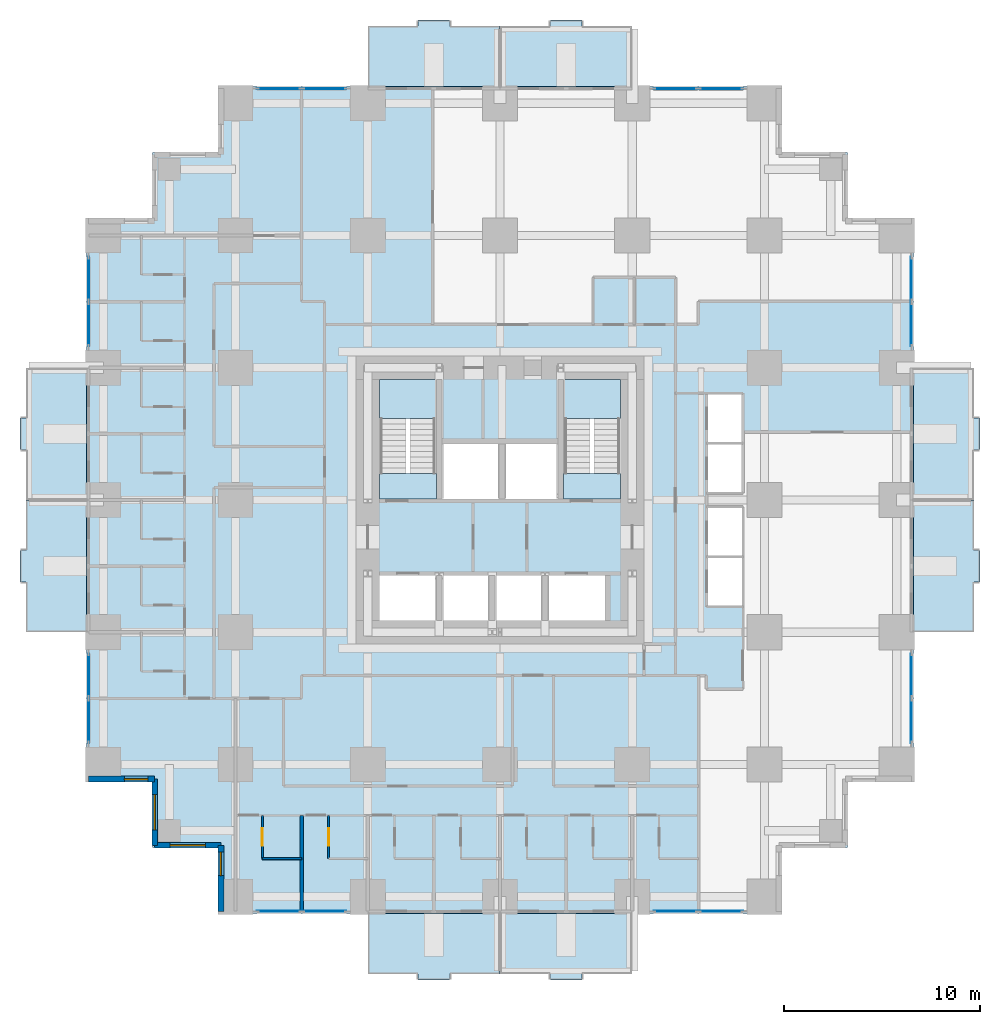
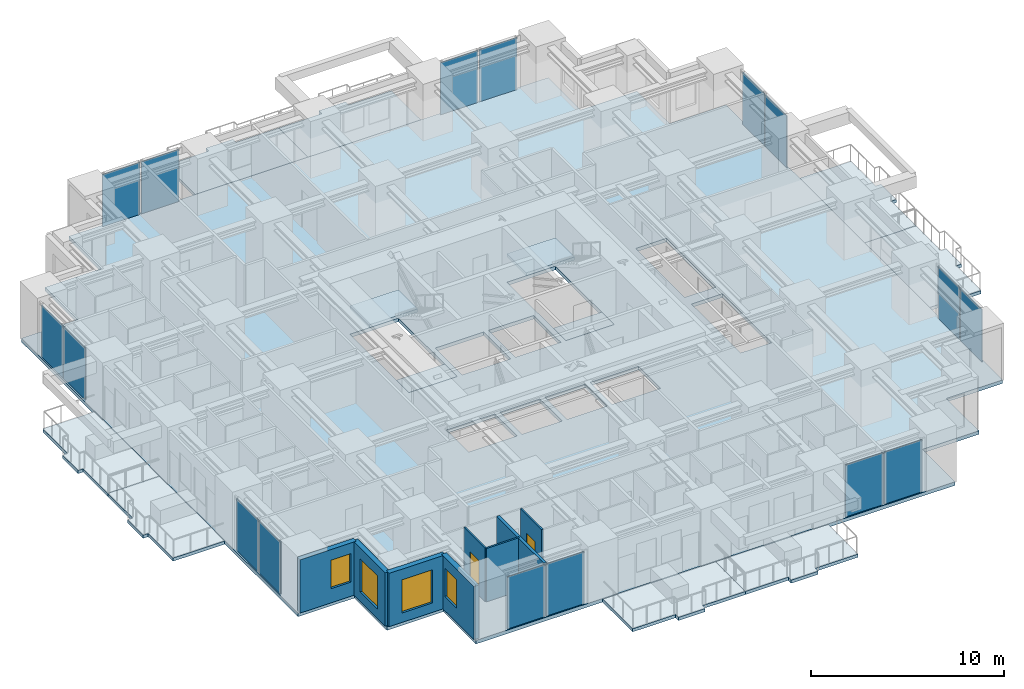
# One storey, part 5 of 13: 16 plates, 13 slabs, 8 walls, 4 windows, 2 doors, 6 openings, 10 elements without a shape of their own.
"""IFC4 building model written with IfcOpenShell, lengths in metres."""

from ifc_helpers import new_model, si_unit, direction, frame, frame_2d, origin, origin_2d, place, context, subcontext, project, spatial, polyline, rectangle, outline, extrude, material, layer, layer_set, type_object, element, fill, aggregate, save


model = new_model("IFC4")

# Units and contexts
model_context = context("Model", 3, precision=1e-05, world=origin(), true_north=direction((0.0, 1.0)))
body_context = subcontext(model_context, "Body", "Model", "MODEL_VIEW")
ifc_project = project(units=[si_unit("LENGTHUNIT", "METRE"), si_unit("AREAUNIT", "SQUARE_METRE"), si_unit("VOLUMEUNIT", "CUBIC_METRE"), si_unit("PLANEANGLEUNIT", "RADIAN"), si_unit("MASSUNIT", "GRAM", prefix="KILO")], contexts=[model_context])

# Site, building, storey
site_placement = place(None, origin())
site = spatial("IfcSite", under=ifc_project, at=site_placement, CompositionType="ELEMENT")
building_placement = place(site_placement, origin())
building = spatial("IfcBuilding", under=site, at=building_placement, Name="Nyansa Garden Tower", CompositionType="ELEMENT")
storey_placement = place(building_placement, frame((0.0, 0.0, 46.800048828125)))
storey = spatial("IfcBuildingStorey", under=building, at=storey_placement, Name="L12", CompositionType="ELEMENT", Elevation=46.800048828125)

# Slabs
ifc_material_1 = material(Name="Concrete C40/50", Category="concrete")
ifc_layer_1 = layer(ifc_material_1, 0.199951171875)
ifc_layer_set_1 = layer_set([ifc_layer_1], Name="Balcony slab BS200")
slab_type_1 = type_object("IfcSlabType", Name="Balcony slab BS200", PredefinedType="FLOOR", material=ifc_layer_set_1)
slab_1_placement = place(storey_placement, frame((0.0, 0.0, -0.239990234375)))
element("IfcSlab", 1, at=slab_1_placement, inside=storey, type_object=slab_type_1, Name="Balcony L12 S", PredefinedType="FLOOR", context=body_context, shape_type="SweptSolid", body=[
    extrude(outline(polyline([(13.5, -0.85009765625), (20.25, -0.85009765625), (20.25, -3.949951171875), (17.675048828125, -3.949951171875), (17.675048828125, -4.25), (16.074951171875, -4.25), (16.074951171875, -3.949951171875), (13.5, -3.949951171875), (13.5, -0.85009765625)])), origin(), (0.0, 0.0, 1.0), 0.199951171875),
])
slab_2_placement = place(storey_placement, frame((0.0, 0.0, -0.239990234375)))
element("IfcSlab", 2, at=slab_2_placement, inside=storey, type_object=slab_type_1, Name="Balcony L12 S", PredefinedType="FLOOR", context=body_context, shape_type="SweptSolid", body=[
    extrude(outline(polyline([(20.25, -0.85009765625), (27.0, -0.85009765625), (27.0, -3.949951171875), (24.425048828125, -3.949951171875), (24.425048828125, -4.25), (22.824951171875, -4.25), (22.824951171875, -3.949951171875), (20.25, -3.949951171875), (20.25, -0.85009765625)])), origin(), (0.0, 0.0, 1.0), 0.199951171875),
])
slab_3_placement = place(storey_placement, frame((0.0, 0.0, -0.239990234375)))
element("IfcSlab", 3, at=slab_3_placement, inside=storey, type_object=slab_type_1, Name="Balcony L12 E", PredefinedType="FLOOR", context=body_context, shape_type="SweptSolid", body=[
    extrude(outline(polyline([(41.35009765625, 13.5), (41.35009765625, 20.25), (44.449951171875, 20.25), (44.449951171875, 17.675048828125), (44.75, 17.675048828125), (44.75, 16.074951171875), (44.449951171875, 16.074951171875), (44.449951171875, 13.5), (41.35009765625, 13.5)])), origin(), (0.0, 0.0, 1.0), 0.199951171875),
])
slab_4_placement = place(storey_placement, frame((0.0, 0.0, -0.239990234375)))
element("IfcSlab", 4, at=slab_4_placement, inside=storey, type_object=slab_type_1, Name="Balcony L12 E", PredefinedType="FLOOR", context=body_context, shape_type="SweptSolid", body=[
    extrude(outline(polyline([(41.35009765625, 20.25), (41.35009765625, 27.0), (44.449951171875, 27.0), (44.449951171875, 24.425048828125), (44.75, 24.425048828125), (44.75, 22.824951171875), (44.449951171875, 22.824951171875), (44.449951171875, 20.25), (41.35009765625, 20.25)])), origin(), (0.0, 0.0, 1.0), 0.199951171875),
])
slab_5_placement = place(storey_placement, frame((0.0, 0.0, -0.239990234375)))
element("IfcSlab", 5, at=slab_5_placement, inside=storey, type_object=slab_type_1, Name="Balcony L12 N", PredefinedType="FLOOR", context=body_context, shape_type="SweptSolid", body=[
    extrude(outline(polyline([(13.5, 41.35009765625), (20.25, 41.35009765625), (20.25, 44.449951171875), (17.675048828125, 44.449951171875), (17.675048828125, 44.75), (16.074951171875, 44.75), (16.074951171875, 44.449951171875), (13.5, 44.449951171875), (13.5, 41.35009765625)])), origin(), (0.0, 0.0, 1.0), 0.199951171875),
])
slab_6_placement = place(storey_placement, frame((0.0, 0.0, -0.239990234375)))
element("IfcSlab", 6, at=slab_6_placement, inside=storey, type_object=slab_type_1, Name="Balcony L12 N", PredefinedType="FLOOR", context=body_context, shape_type="SweptSolid", body=[
    extrude(outline(polyline([(20.25, 41.35009765625), (27.0, 41.35009765625), (27.0, 44.449951171875), (24.425048828125, 44.449951171875), (24.425048828125, 44.75), (22.824951171875, 44.75), (22.824951171875, 44.449951171875), (20.25, 44.449951171875), (20.25, 41.35009765625)])), origin(), (0.0, 0.0, 1.0), 0.199951171875),
])
slab_7_placement = place(storey_placement, frame((0.0, 0.0, -0.239990234375)))
element("IfcSlab", 7, at=slab_7_placement, inside=storey, type_object=slab_type_1, Name="Balcony L12 W", PredefinedType="FLOOR", context=body_context, shape_type="SweptSolid", body=[
    extrude(outline(polyline([(-0.85009765625, 13.5), (-0.85009765625, 20.25), (-3.949951171875, 20.25), (-3.949951171875, 17.675048828125), (-4.25, 17.675048828125), (-4.25, 16.074951171875), (-3.949951171875, 16.074951171875), (-3.949951171875, 13.5), (-0.85009765625, 13.5)])), origin(), (0.0, 0.0, 1.0), 0.199951171875),
])
slab_8_placement = place(storey_placement, frame((0.0, 0.0, -0.239990234375)))
element("IfcSlab", 8, at=slab_8_placement, inside=storey, type_object=slab_type_1, Name="Balcony L12 W", PredefinedType="FLOOR", context=body_context, shape_type="SweptSolid", body=[
    extrude(outline(polyline([(-0.85009765625, 20.25), (-0.85009765625, 27.0), (-3.949951171875, 27.0), (-3.949951171875, 24.425048828125), (-4.25, 24.425048828125), (-4.25, 22.824951171875), (-3.949951171875, 22.824951171875), (-3.949951171875, 20.25), (-0.85009765625, 20.25)])), origin(), (0.0, 0.0, 1.0), 0.199951171875),
])
ifc_material_2 = material(Name="Concrete C40/50", Category="concrete")
ifc_layer_2 = layer(ifc_material_2, 0.22509765625)
ifc_layer_set_2 = layer_set([ifc_layer_2], Name="Floor slab FS225")
slab_type_2 = type_object("IfcSlabType", Name="Floor slab FS225", PredefinedType="FLOOR", material=ifc_layer_set_2)
slab_9_placement = place(storey_placement, frame((0.0, 0.0, -0.22509765625)))
element("IfcSlab", 9, at=slab_9_placement, inside=storey, type_object=slab_type_2, Name="Floor slab L12", PredefinedType="FLOOR", context=body_context, shape_type="SweptSolid", body=[
    extrude(outline(polyline([(41.35009765625, 5.89990234375), (37.97509765625, 5.89990234375), (37.97509765625, 2.52490234375), (34.60009765625, 2.52490234375), (34.60009765625, -0.85009765625), (5.89990234375, -0.85009765625), (5.89990234375, 2.52490234375), (2.52490234375, 2.52490234375), (2.52490234375, 5.89990234375), (-0.85009765625, 5.89990234375), (-0.85009765625, 34.60009765625), (2.52490234375, 34.60009765625), (2.52490234375, 37.97509765625), (5.89990234375, 37.97509765625), (5.89990234375, 41.35009765625), (34.60009765625, 41.35009765625), (34.60009765625, 37.97509765625), (37.97509765625, 37.97509765625), (37.97509765625, 34.60009765625), (41.35009765625, 34.60009765625), (41.35009765625, 5.89990234375)]), holes=[polyline([(14.10009765625, 14.10009765625), (17.0, 14.10009765625), (17.0, 16.39990234375), (14.10009765625, 16.39990234375), (14.10009765625, 14.10009765625)]), polyline([(17.300048828125, 14.10009765625), (19.699951171875, 14.10009765625), (19.699951171875, 16.39990234375), (17.300048828125, 16.39990234375), (17.300048828125, 14.10009765625)]), polyline([(20.0, 14.10009765625), (22.39990234375, 14.10009765625), (22.39990234375, 16.39990234375), (20.0, 16.39990234375), (20.0, 14.10009765625)]), polyline([(22.699951171875, 14.10009765625), (25.60009765625, 14.10009765625), (25.60009765625, 16.39990234375), (22.699951171875, 16.39990234375), (22.699951171875, 14.10009765625)]), polyline([(17.300048828125, 20.300048828125), (20.199951171875, 20.300048828125), (20.199951171875, 23.10009765625), (17.300048828125, 23.10009765625), (17.300048828125, 20.300048828125)]), polyline([(20.5, 20.300048828125), (23.199951171875, 20.300048828125), (23.199951171875, 23.10009765625), (20.5, 23.10009765625), (20.5, 20.300048828125)]), polyline([(30.800048828125, 14.800048828125), (32.64990234375, 14.800048828125), (32.64990234375, 19.89990234375), (30.800048828125, 19.89990234375), (30.800048828125, 14.800048828125)]), polyline([(30.800048828125, 20.60009765625), (32.64990234375, 20.60009765625), (32.64990234375, 25.699951171875), (30.800048828125, 25.699951171875), (30.800048828125, 20.60009765625)]), polyline([(14.10009765625, 20.300048828125), (17.0, 20.300048828125), (17.0, 26.39990234375), (14.10009765625, 26.39990234375), (14.10009765625, 20.300048828125)]), polyline([(23.5, 20.300048828125), (26.39990234375, 20.300048828125), (26.39990234375, 26.39990234375), (23.5, 26.39990234375), (23.5, 20.300048828125)])]), origin(), (0.0, 0.0, 1.0), 0.22509765625),
])

# Curtain wall, plates
ifc_material_3 = material(Name="Black anodised aluminium, dark tinted double glazing", Category="aluminium")
curtain_wall_type = type_object("IfcCurtainWallType", Name="Sky lounge curtain wall SLW", PredefinedType="USERDEFINED", material=ifc_material_3)
curtain_wall_1_placement = place(storey_placement, origin())
curtain_wall_1 = element("IfcCurtainWall", 10, at=curtain_wall_1_placement, inside=storey, type_object=curtain_wall_type, Name="Inner skin curtain wall L12 E", ObjectType="UNITISED CURTAIN WALL", PredefinedType="USERDEFINED")
ifc_material_4 = material(Name="Dark tinted laminated double glazing", Category="glass")
ifc_layer_3 = layer(ifc_material_4, 0.048095703125)
ifc_layer_set_3 = layer_set([ifc_layer_3], Name="Lounge vision panel VP-L")
plate_type = type_object("IfcPlateType", Name="Lounge vision panel VP-L", PredefinedType="CURTAIN_PANEL", material=ifc_layer_set_3)
plate_1_placement = place(storey_placement, frame((41.25, 8.96240234375, 0.0), z_axis=(0.0, 0.0, 1.0), x_axis=(0.0, 1.0, 0.0)))
plate_1 = element("IfcPlate", 11, at=plate_1_placement, type_object=plate_type, Name="SLW panel 1", PredefinedType="CURTAIN_PANEL", context=body_context, shape_type="SweptSolid", body=[
    extrude(rectangle(XDim=2.2451171875, YDim=0.048095703125, at=origin_2d()), origin(), (0.0, 0.0, 1.0), 3.294921875),
])
plate_2_placement = place(storey_placement, frame((41.25, 11.28759765625, 0.0), z_axis=(0.0, 0.0, 1.0), x_axis=(0.0, 1.0, 0.0)))
plate_2 = element("IfcPlate", 12, at=plate_2_placement, type_object=plate_type, Name="SLW panel 2", PredefinedType="CURTAIN_PANEL", context=body_context, shape_type="SweptSolid", body=[
    extrude(rectangle(XDim=2.2451171875, YDim=0.048095703125, at=origin_2d()), origin(), (0.0, 0.0, 1.0), 3.294921875),
])
aggregate(curtain_wall_1, [plate_1, plate_2])

curtain_wall_2_placement = place(storey_placement, origin())
curtain_wall_2 = element("IfcCurtainWall", 13, at=curtain_wall_2_placement, inside=storey, type_object=curtain_wall_type, Name="Inner skin curtain wall L12 E", ObjectType="UNITISED CURTAIN WALL", PredefinedType="USERDEFINED")
plate_3_placement = place(storey_placement, frame((41.25, 29.21240234375, 0.0), z_axis=(0.0, 0.0, 1.0), x_axis=(0.0, 1.0, 0.0)))
plate_3 = element("IfcPlate", 14, at=plate_3_placement, type_object=plate_type, Name="SLW panel 1", PredefinedType="CURTAIN_PANEL", context=body_context, shape_type="SweptSolid", body=[
    extrude(rectangle(XDim=2.2451171875, YDim=0.048095703125, at=origin_2d()), origin(), (0.0, 0.0, 1.0), 3.294921875),
])
plate_4_placement = place(storey_placement, frame((41.25, 31.53759765625, 0.0), z_axis=(0.0, 0.0, 1.0), x_axis=(0.0, 1.0, 0.0)))
plate_4 = element("IfcPlate", 15, at=plate_4_placement, type_object=plate_type, Name="SLW panel 2", PredefinedType="CURTAIN_PANEL", context=body_context, shape_type="SweptSolid", body=[
    extrude(rectangle(XDim=2.2451171875, YDim=0.048095703125, at=origin_2d()), origin(), (0.0, 0.0, 1.0), 3.294921875),
])
aggregate(curtain_wall_2, [plate_3, plate_4])

curtain_wall_3_placement = place(storey_placement, origin())
curtain_wall_3 = element("IfcCurtainWall", 16, at=curtain_wall_3_placement, inside=storey, type_object=curtain_wall_type, Name="Inner skin curtain wall L12 N", ObjectType="UNITISED CURTAIN WALL", PredefinedType="USERDEFINED")
plate_5_placement = place(storey_placement, frame((11.28759765625, 41.25, 0.0), z_axis=(0.0, 0.0, 1.0), x_axis=(-1.0, 0.0, 0.0)))
plate_5 = element("IfcPlate", 17, at=plate_5_placement, type_object=plate_type, Name="SLW panel 1", PredefinedType="CURTAIN_PANEL", context=body_context, shape_type="SweptSolid", body=[
    extrude(rectangle(XDim=2.2451171875, YDim=0.048095703125, at=origin_2d()), origin(), (0.0, 0.0, 1.0), 3.294921875),
])
plate_6_placement = place(storey_placement, frame((8.96240234375, 41.25, 0.0), z_axis=(0.0, 0.0, 1.0), x_axis=(-1.0, 0.0, 0.0)))
plate_6 = element("IfcPlate", 18, at=plate_6_placement, type_object=plate_type, Name="SLW panel 2", PredefinedType="CURTAIN_PANEL", context=body_context, shape_type="SweptSolid", body=[
    extrude(rectangle(XDim=2.2451171875, YDim=0.048095703125, at=origin_2d()), origin(), (0.0, 0.0, 1.0), 3.294921875),
])
aggregate(curtain_wall_3, [plate_5, plate_6])

curtain_wall_4_placement = place(storey_placement, origin())
curtain_wall_4 = element("IfcCurtainWall", 19, at=curtain_wall_4_placement, inside=storey, type_object=curtain_wall_type, Name="Inner skin curtain wall L12 N", ObjectType="UNITISED CURTAIN WALL", PredefinedType="USERDEFINED")
plate_7_placement = place(storey_placement, frame((31.53759765625, 41.25, 0.0), z_axis=(0.0, 0.0, 1.0), x_axis=(-1.0, 0.0, 0.0)))
plate_7 = element("IfcPlate", 20, at=plate_7_placement, type_object=plate_type, Name="SLW panel 1", PredefinedType="CURTAIN_PANEL", context=body_context, shape_type="SweptSolid", body=[
    extrude(rectangle(XDim=2.2451171875, YDim=0.048095703125, at=origin_2d()), origin(), (0.0, 0.0, 1.0), 3.294921875),
])
plate_8_placement = place(storey_placement, frame((29.21240234375, 41.25, 0.0), z_axis=(0.0, 0.0, 1.0), x_axis=(-1.0, 0.0, 0.0)))
plate_8 = element("IfcPlate", 21, at=plate_8_placement, type_object=plate_type, Name="SLW panel 2", PredefinedType="CURTAIN_PANEL", context=body_context, shape_type="SweptSolid", body=[
    extrude(rectangle(XDim=2.2451171875, YDim=0.048095703125, at=origin_2d()), origin(), (0.0, 0.0, 1.0), 3.294921875),
])
aggregate(curtain_wall_4, [plate_7, plate_8])

curtain_wall_5_placement = place(storey_placement, origin())
curtain_wall_5 = element("IfcCurtainWall", 22, at=curtain_wall_5_placement, inside=storey, type_object=curtain_wall_type, Name="Inner skin curtain wall L12 W", ObjectType="UNITISED CURTAIN WALL", PredefinedType="USERDEFINED")
plate_9_placement = place(storey_placement, frame((-0.75, 11.28759765625, 0.0), z_axis=(0.0, 0.0, 1.0), x_axis=(0.0, -1.0, 0.0)))
plate_9 = element("IfcPlate", 23, at=plate_9_placement, type_object=plate_type, Name="SLW panel 1", PredefinedType="CURTAIN_PANEL", context=body_context, shape_type="SweptSolid", body=[
    extrude(rectangle(XDim=2.2451171875, YDim=0.048095703125, at=origin_2d()), origin(), (0.0, 0.0, 1.0), 3.294921875),
])
plate_10_placement = place(storey_placement, frame((-0.75, 8.96240234375, 0.0), z_axis=(0.0, 0.0, 1.0), x_axis=(0.0, -1.0, 0.0)))
plate_10 = element("IfcPlate", 24, at=plate_10_placement, type_object=plate_type, Name="SLW panel 2", PredefinedType="CURTAIN_PANEL", context=body_context, shape_type="SweptSolid", body=[
    extrude(rectangle(XDim=2.2451171875, YDim=0.048095703125, at=origin_2d()), origin(), (0.0, 0.0, 1.0), 3.294921875),
])
aggregate(curtain_wall_5, [plate_9, plate_10])

curtain_wall_6_placement = place(storey_placement, origin())
curtain_wall_6 = element("IfcCurtainWall", 25, at=curtain_wall_6_placement, inside=storey, type_object=curtain_wall_type, Name="Inner skin curtain wall L12 W", ObjectType="UNITISED CURTAIN WALL", PredefinedType="USERDEFINED")
plate_11_placement = place(storey_placement, frame((-0.75, 31.53759765625, 0.0), z_axis=(0.0, 0.0, 1.0), x_axis=(0.0, -1.0, 0.0)))
plate_11 = element("IfcPlate", 26, at=plate_11_placement, type_object=plate_type, Name="SLW panel 1", PredefinedType="CURTAIN_PANEL", context=body_context, shape_type="SweptSolid", body=[
    extrude(rectangle(XDim=2.2451171875, YDim=0.048095703125, at=origin_2d()), origin(), (0.0, 0.0, 1.0), 3.294921875),
])
plate_12_placement = place(storey_placement, frame((-0.75, 29.21240234375, 0.0), z_axis=(0.0, 0.0, 1.0), x_axis=(0.0, -1.0, 0.0)))
plate_12 = element("IfcPlate", 27, at=plate_12_placement, type_object=plate_type, Name="SLW panel 2", PredefinedType="CURTAIN_PANEL", context=body_context, shape_type="SweptSolid", body=[
    extrude(rectangle(XDim=2.2451171875, YDim=0.048095703125, at=origin_2d()), origin(), (0.0, 0.0, 1.0), 3.294921875),
])
aggregate(curtain_wall_6, [plate_11, plate_12])

curtain_wall_7_placement = place(storey_placement, origin())
curtain_wall_7 = element("IfcCurtainWall", 28, at=curtain_wall_7_placement, inside=storey, type_object=curtain_wall_type, Name="Inner skin curtain wall L12 S", ObjectType="UNITISED CURTAIN WALL", PredefinedType="USERDEFINED")
plate_13_placement = place(storey_placement, frame((8.96240234375, -0.75, 0.0), z_axis=(0.0, 0.0, 1.0), x_axis=(1.0, 0.0, 0.0)))
plate_13 = element("IfcPlate", 29, at=plate_13_placement, type_object=plate_type, Name="SLW panel 1", PredefinedType="CURTAIN_PANEL", context=body_context, shape_type="SweptSolid", body=[
    extrude(rectangle(XDim=2.2451171875, YDim=0.048095703125, at=origin_2d()), origin(), (0.0, 0.0, 1.0), 3.294921875),
])
plate_14_placement = place(storey_placement, frame((11.28759765625, -0.75, 0.0), z_axis=(0.0, 0.0, 1.0), x_axis=(1.0, 0.0, 0.0)))
plate_14 = element("IfcPlate", 30, at=plate_14_placement, type_object=plate_type, Name="SLW panel 2", PredefinedType="CURTAIN_PANEL", context=body_context, shape_type="SweptSolid", body=[
    extrude(rectangle(XDim=2.2451171875, YDim=0.048095703125, at=origin_2d()), origin(), (0.0, 0.0, 1.0), 3.294921875),
])
aggregate(curtain_wall_7, [plate_13, plate_14])

curtain_wall_8_placement = place(storey_placement, origin())
curtain_wall_8 = element("IfcCurtainWall", 31, at=curtain_wall_8_placement, inside=storey, type_object=curtain_wall_type, Name="Inner skin curtain wall L12 S", ObjectType="UNITISED CURTAIN WALL", PredefinedType="USERDEFINED")
plate_15_placement = place(storey_placement, frame((29.21240234375, -0.75, 0.0), z_axis=(0.0, 0.0, 1.0), x_axis=(1.0, 0.0, 0.0)))
plate_15 = element("IfcPlate", 32, at=plate_15_placement, type_object=plate_type, Name="SLW panel 1", PredefinedType="CURTAIN_PANEL", context=body_context, shape_type="SweptSolid", body=[
    extrude(rectangle(XDim=2.2451171875, YDim=0.048095703125, at=origin_2d()), origin(), (0.0, 0.0, 1.0), 3.294921875),
])
plate_16_placement = place(storey_placement, frame((31.53759765625, -0.75, 0.0), z_axis=(0.0, 0.0, 1.0), x_axis=(1.0, 0.0, 0.0)))
plate_16 = element("IfcPlate", 33, at=plate_16_placement, type_object=plate_type, Name="SLW panel 2", PredefinedType="CURTAIN_PANEL", context=body_context, shape_type="SweptSolid", body=[
    extrude(rectangle(XDim=2.2451171875, YDim=0.048095703125, at=origin_2d()), origin(), (0.0, 0.0, 1.0), 3.294921875),
])
aggregate(curtain_wall_8, [plate_15, plate_16])

# Stair, slabs
ifc_material_5 = material(Name="Precast concrete C40/50", Category="concrete")
stair_type_1 = type_object("IfcStairType", Name="Stair S1 164x280", PredefinedType="HALF_TURN_STAIR", material=ifc_material_5)
stair_1_placement = place(storey_placement, origin())
stair_1 = element("IfcStair", 34, at=stair_1_placement, inside=storey, type_object=stair_type_1, Name="Stair S1 L12", PredefinedType="HALF_TURN_STAIR")
ifc_material_6 = material(Name="Concrete C40/50", Category="concrete")
ifc_layer_4 = layer(ifc_material_6, 0.199951171875)
ifc_layer_set_4 = layer_set([ifc_layer_4], Name="Stair landing SL200")
slab_type_3 = type_object("IfcSlabType", Name="Stair landing SL200", PredefinedType="LANDING", material=ifc_layer_set_4)
slab_10_placement = place(storey_placement, frame((0.0, 0.0, -0.199951171875)))
slab_10 = element("IfcSlab", 35, at=slab_10_placement, type_object=slab_type_3, Name="S1 landing 1", PredefinedType="LANDING", context=body_context, shape_type="SweptSolid", body=[
    extrude(outline(polyline([(14.10009765625, 20.300048828125), (17.0, 20.300048828125), (17.0, 21.60009765625), (14.10009765625, 21.60009765625), (14.10009765625, 20.300048828125)])), origin(), (0.0, 0.0, 1.0), 0.199951171875),
])
slab_11_placement = place(storey_placement, frame((0.0, 0.0, 1.599853515625)))
slab_11 = element("IfcSlab", 36, at=slab_11_placement, type_object=slab_type_3, Name="S1 landing 2", PredefinedType="LANDING", context=body_context, shape_type="SweptSolid", body=[
    extrude(outline(polyline([(14.10009765625, 24.39990234375), (17.0, 24.39990234375), (17.0, 26.39990234375), (14.10009765625, 26.39990234375), (14.10009765625, 24.39990234375)])), origin(), (0.0, 0.0, 1.0), 0.2001953125),
])
aggregate(stair_1, [slab_10, slab_11])

ifc_material_7 = material(Name="Precast concrete C40/50", Category="concrete")
stair_type_2 = type_object("IfcStairType", Name="Stair S2 164x280", PredefinedType="HALF_TURN_STAIR", material=ifc_material_7)
stair_2_placement = place(storey_placement, origin())
stair_2 = element("IfcStair", 37, at=stair_2_placement, inside=storey, type_object=stair_type_2, Name="Stair S2 L12", PredefinedType="HALF_TURN_STAIR")
slab_12_placement = place(storey_placement, frame((0.0, 0.0, -0.199951171875)))
slab_12 = element("IfcSlab", 38, at=slab_12_placement, type_object=slab_type_3, Name="S2 landing 1", PredefinedType="LANDING", context=body_context, shape_type="SweptSolid", body=[
    extrude(outline(polyline([(23.5, 20.300048828125), (26.39990234375, 20.300048828125), (26.39990234375, 21.60009765625), (23.5, 21.60009765625), (23.5, 20.300048828125)])), origin(), (0.0, 0.0, 1.0), 0.199951171875),
])
slab_13_placement = place(storey_placement, frame((0.0, 0.0, 1.599853515625)))
slab_13 = element("IfcSlab", 39, at=slab_13_placement, type_object=slab_type_3, Name="S2 landing 2", PredefinedType="LANDING", context=body_context, shape_type="SweptSolid", body=[
    extrude(outline(polyline([(23.5, 24.39990234375), (26.39990234375, 24.39990234375), (26.39990234375, 26.39990234375), (23.5, 26.39990234375), (23.5, 24.39990234375)])), origin(), (0.0, 0.0, 1.0), 0.2001953125),
])
aggregate(stair_2, [slab_12, slab_13])

# Wall
ifc_material_8 = material(Name="Dense blockwork, plastered both sides, 55 dB", Category="masonry")
ifc_layer_5 = layer(ifc_material_8, 0.175048828125)
ifc_layer_set_5 = layer_set([ifc_layer_5], Name="Acoustic party wall PW175")
wall_type_1 = type_object("IfcWallType", Name="Acoustic party wall PW175", PredefinedType="PARTITIONING", material=ifc_layer_set_5)
wall_1_placement = place(storey_placement, frame((10.125, -0.73388671875, 0.0), z_axis=(0.0, 0.0, 1.0), x_axis=(0.0, 1.0, 0.0)))
element("IfcWall", 40, at=wall_1_placement, inside=storey, type_object=wall_type_1, Name="Party wall", PredefinedType="PARTITIONING", context=body_context, shape_type="SweptSolid", body=[
    extrude(rectangle(XDim=4.8837890625, YDim=0.175048828125, at=frame_2d((2.44189453125, 0.0))), origin(), (0.0, 0.0, 1.0), 3.375),
])

# Wall, opening, window
ifc_material_9 = material(Name="Turquoise glazed tile on concrete blockwork", Category="masonry")
ifc_layer_6 = layer(ifc_material_9, 0.300048828125)
ifc_layer_set_6 = layer_set([ifc_layer_6], Name="Tiled corner wall TW300")
wall_type_2 = type_object("IfcWallType", Name="Tiled corner wall TW300", PredefinedType="SOLIDWALL", material=ifc_layer_set_6)
wall_2_placement = place(storey_placement, frame((-0.75, 6.0, 0.0), z_axis=(0.0, 0.0, 1.0), x_axis=(1.0, 0.0, 0.0)))
wall_2 = element("IfcWall", 41, at=wall_2_placement, inside=storey, type_object=wall_type_2, Name="Tiled corner wall L12", PredefinedType="SOLIDWALL", context=body_context, shape_type="SweptSolid", body=[
    extrude(rectangle(XDim=3.375, YDim=0.300048828125, at=frame_2d((1.6875, 0.0))), origin(), (0.0, 0.0, 1.0), 3.375),
])
opening_1_placement = place(wall_2_placement, frame((1.83251953125, 0.0, 0.89990234375)))
opening_1 = element("IfcOpeningElement", 42, at=opening_1_placement, cuts=wall_2, Name="Opening W4", PredefinedType="OPENING", context=body_context, shape_type="SweptSolid", body=[
    extrude(rectangle(XDim=1.199951171875, YDim=1.800048828125, at=frame_2d((0.60009765625, 0.89990234375))), frame((0.0, 0.159912109375, 0.0), z_axis=(0.0, -1.0, 0.0), x_axis=(1.0, 0.0, 0.0)), (0.0, 0.0, 1.0), 0.320068359375),
])
ifc_material_10 = material(Name="Black aluminium frame, dark tinted double glazing", Category="aluminium")
window_type_1 = type_object("IfcWindowType", Name="Window W4 1200x1800", PartitioningType="SINGLE_PANEL", PredefinedType="WINDOW", material=ifc_material_10)
window_1_placement = place(opening_1_placement, origin())
window_1 = element("IfcWindow", 43, at=window_1_placement, inside=storey, type_object=window_type_1, Name="Corner window L12", OverallHeight=1.800048828125, OverallWidth=1.199951171875, PartitioningType="SINGLE_PANEL", PredefinedType="WINDOW", context=body_context, shape_type="SweptSolid", body=[
    extrude(rectangle(XDim=1.199951171875, YDim=1.800048828125, at=frame_2d((0.60009765625, 0.89990234375))), frame((0.0, 0.030029296875, 0.0), z_axis=(0.0, -1.0, 0.0), x_axis=(1.0, 0.0, 0.0)), (0.0, 0.0, 1.0), 0.06005859375),
])
fill(opening_1, window_1)

wall_3_placement = place(storey_placement, frame((2.625, 6.0, 0.0), z_axis=(0.0, 0.0, 1.0), x_axis=(0.0, -1.0, 0.0)))
wall_3 = element("IfcWall", 44, at=wall_3_placement, inside=storey, type_object=wall_type_2, Name="Tiled corner wall L12", PredefinedType="SOLIDWALL", context=body_context, shape_type="SweptSolid", body=[
    extrude(rectangle(XDim=3.375, YDim=0.300048828125, at=frame_2d((1.6875, 0.0))), origin(), (0.0, 0.0, 1.0), 3.375),
])
opening_2_placement = place(wall_3_placement, frame((0.78759765625, 0.0, 0.60009765625)))
opening_2 = element("IfcOpeningElement", 45, at=opening_2_placement, cuts=wall_3, Name="Opening W2", PredefinedType="OPENING", context=body_context, shape_type="SweptSolid", body=[
    extrude(rectangle(XDim=1.800048828125, YDim=2.10009765625, at=frame_2d((0.89990234375, 1.050048828125))), frame((0.0, 0.159912109375, 0.0), z_axis=(0.0, -1.0, 0.0), x_axis=(1.0, 0.0, 0.0)), (0.0, 0.0, 1.0), 0.320068359375),
])
ifc_material_11 = material(Name="Black aluminium frame, dark tinted double glazing", Category="aluminium")
window_type_2 = type_object("IfcWindowType", Name="Window W2 1800x2100", PartitioningType="SINGLE_PANEL", PredefinedType="WINDOW", material=ifc_material_11)
window_2_placement = place(opening_2_placement, origin())
window_2 = element("IfcWindow", 46, at=window_2_placement, inside=storey, type_object=window_type_2, Name="Corner window L12", OverallHeight=2.10009765625, OverallWidth=1.800048828125, PartitioningType="SINGLE_PANEL", PredefinedType="WINDOW", context=body_context, shape_type="SweptSolid", body=[
    extrude(rectangle(XDim=1.800048828125, YDim=2.10009765625, at=frame_2d((0.89990234375, 1.050048828125))), frame((0.0, 0.030029296875, 0.0), z_axis=(0.0, -1.0, 0.0), x_axis=(1.0, 0.0, 0.0)), (0.0, 0.0, 1.0), 0.06005859375),
])
fill(opening_2, window_2)

wall_4_placement = place(storey_placement, frame((2.625, 2.625, 0.0), z_axis=(0.0, 0.0, 1.0), x_axis=(1.0, 0.0, 0.0)))
wall_4 = element("IfcWall", 47, at=wall_4_placement, inside=storey, type_object=wall_type_2, Name="Tiled corner wall L12", PredefinedType="SOLIDWALL", context=body_context, shape_type="SweptSolid", body=[
    extrude(rectangle(XDim=3.375, YDim=0.300048828125, at=frame_2d((1.6875, 0.0))), origin(), (0.0, 0.0, 1.0), 3.375),
])
opening_3_placement = place(wall_4_placement, frame((0.78759765625, 0.0, 0.60009765625)))
opening_3 = element("IfcOpeningElement", 48, at=opening_3_placement, cuts=wall_4, Name="Opening W2", PredefinedType="OPENING", context=body_context, shape_type="SweptSolid", body=[
    extrude(rectangle(XDim=1.800048828125, YDim=2.10009765625, at=frame_2d((0.89990234375, 1.050048828125))), frame((0.0, 0.159912109375, 0.0), z_axis=(0.0, -1.0, 0.0), x_axis=(1.0, 0.0, 0.0)), (0.0, 0.0, 1.0), 0.320068359375),
])
window_3_placement = place(opening_3_placement, origin())
window_3 = element("IfcWindow", 49, at=window_3_placement, inside=storey, type_object=window_type_2, Name="Corner window L12", OverallHeight=2.10009765625, OverallWidth=1.800048828125, PartitioningType="SINGLE_PANEL", PredefinedType="WINDOW", context=body_context, shape_type="SweptSolid", body=[
    extrude(rectangle(XDim=1.800048828125, YDim=2.10009765625, at=frame_2d((0.89990234375, 1.050048828125))), frame((0.0, 0.030029296875, 0.0), z_axis=(0.0, -1.0, 0.0), x_axis=(1.0, 0.0, 0.0)), (0.0, 0.0, 1.0), 0.06005859375),
])
fill(opening_3, window_3)

wall_5_placement = place(storey_placement, frame((6.0, 2.625, 0.0), z_axis=(0.0, 0.0, 1.0), x_axis=(0.0, -1.0, 0.0)))
wall_5 = element("IfcWall", 50, at=wall_5_placement, inside=storey, type_object=wall_type_2, Name="Tiled corner wall L12", PredefinedType="SOLIDWALL", context=body_context, shape_type="SweptSolid", body=[
    extrude(rectangle(XDim=3.375, YDim=0.300048828125, at=frame_2d((1.6875, 0.0))), origin(), (0.0, 0.0, 1.0), 3.375),
])
opening_4_placement = place(wall_5_placement, frame((0.342529296875, 0.0, 0.89990234375)))
opening_4 = element("IfcOpeningElement", 51, at=opening_4_placement, cuts=wall_5, Name="Opening W4", PredefinedType="OPENING", context=body_context, shape_type="SweptSolid", body=[
    extrude(rectangle(XDim=1.199951171875, YDim=1.800048828125, at=frame_2d((0.60009765625, 0.89990234375))), frame((0.0, 0.159912109375, 0.0), z_axis=(0.0, -1.0, 0.0), x_axis=(1.0, 0.0, 0.0)), (0.0, 0.0, 1.0), 0.320068359375),
])
window_4_placement = place(opening_4_placement, origin())
window_4 = element("IfcWindow", 52, at=window_4_placement, inside=storey, type_object=window_type_1, Name="Corner window L12", OverallHeight=1.800048828125, OverallWidth=1.199951171875, PartitioningType="SINGLE_PANEL", PredefinedType="WINDOW", context=body_context, shape_type="SweptSolid", body=[
    extrude(rectangle(XDim=1.199951171875, YDim=1.800048828125, at=frame_2d((0.60009765625, 0.89990234375))), frame((0.0, 0.030029296875, 0.0), z_axis=(0.0, -1.0, 0.0), x_axis=(1.0, 0.0, 0.0)), (0.0, 0.0, 1.0), 0.06005859375),
])
fill(opening_4, window_4)

# Wall, opening, door
ifc_material_12 = material(Name="Moisture resistant board on steel studs, tiled", Category="steel")
ifc_layer_7 = layer(ifc_material_12, 0.10009765625)
ifc_layer_set_7 = layer_set([ifc_layer_7], Name="Wet wall PW100")
wall_type_3 = type_object("IfcWallType", Name="Wet wall PW100", PredefinedType="PARTITIONING", material=ifc_layer_set_7)
wall_6_placement = place(storey_placement, frame((8.125, 1.949951171875, 0.0), z_axis=(0.0, 0.0, 1.0), x_axis=(0.0, 1.0, 0.0)))
wall_6 = element("IfcWall", 53, at=wall_6_placement, inside=storey, type_object=wall_type_3, Name="Wet wall", PredefinedType="PARTITIONING", context=body_context, shape_type="SweptSolid", body=[
    extrude(rectangle(XDim=2.199951171875, YDim=0.10009765625, at=frame_2d((1.10009765625, 0.0))), origin(), (0.0, 0.0, 1.0), 3.375),
])
opening_5_placement = place(wall_6_placement, frame((0.64990234375, 0.0, 0.0)))
opening_5 = element("IfcOpeningElement", 54, at=opening_5_placement, cuts=wall_6, Name="Opening D02", PredefinedType="OPENING", context=body_context, shape_type="SweptSolid", body=[
    extrude(rectangle(XDim=0.89990234375, YDim=2.199951171875, at=frame_2d((0.449951171875, 1.10009765625))), frame((0.0, 0.06005859375, 0.0), z_axis=(0.0, -1.0, 0.0), x_axis=(1.0, 0.0, 0.0)), (0.0, 0.0, 1.0), 0.1201171875),
])
ifc_material_13 = material(Name="Timber flush door", Category="wood")
door_type = type_object("IfcDoorType", Name="En-suite door D02 900x2200", OperationType="SINGLE_SWING_RIGHT", PredefinedType="DOOR", material=ifc_material_13)
door_1_placement = place(opening_5_placement, origin())
door_1 = element("IfcDoor", 55, at=door_1_placement, inside=storey, type_object=door_type, Name="Door L12-018", OperationType="SINGLE_SWING_RIGHT", OverallHeight=2.199951171875, OverallWidth=0.89990234375, PredefinedType="DOOR", context=body_context, shape_type="SweptSolid", body=[
    extrude(rectangle(XDim=0.89990234375, YDim=2.199951171875, at=frame_2d((0.449951171875, 1.10009765625))), frame((0.0, 0.02490234375, 0.0), z_axis=(0.0, -1.0, 0.0), x_axis=(1.0, 0.0, 0.0)), (0.0, 0.0, 1.0), 0.050048828125),
])
fill(opening_5, door_1)

# Wall
wall_7_placement = place(storey_placement, frame((8.125, 1.949951171875, 0.0), z_axis=(0.0, 0.0, 1.0), x_axis=(1.0, 0.0, 0.0)))
element("IfcWall", 56, at=wall_7_placement, inside=storey, type_object=wall_type_3, Name="Wet wall", PredefinedType="PARTITIONING", context=body_context, shape_type="SweptSolid", body=[
    extrude(rectangle(XDim=2.0, YDim=0.10009765625, at=frame_2d((1.0, 0.0))), origin(), (0.0, 0.0, 1.0), 3.375),
])

# Wall, opening, door
wall_8_placement = place(storey_placement, frame((11.5, 1.949951171875, 0.0), z_axis=(0.0, 0.0, 1.0), x_axis=(0.0, 1.0, 0.0)))
wall_8 = element("IfcWall", 57, at=wall_8_placement, inside=storey, type_object=wall_type_3, Name="Wet wall", PredefinedType="PARTITIONING", context=body_context, shape_type="SweptSolid", body=[
    extrude(rectangle(XDim=2.199951171875, YDim=0.10009765625, at=frame_2d((1.10009765625, 0.0))), origin(), (0.0, 0.0, 1.0), 3.375),
])
opening_6_placement = place(wall_8_placement, frame((0.64990234375, 0.0, 0.0)))
opening_6 = element("IfcOpeningElement", 58, at=opening_6_placement, cuts=wall_8, Name="Opening D02", PredefinedType="OPENING", context=body_context, shape_type="SweptSolid", body=[
    extrude(rectangle(XDim=0.89990234375, YDim=2.199951171875, at=frame_2d((0.449951171875, 1.10009765625))), frame((0.0, 0.06005859375, 0.0), z_axis=(0.0, -1.0, 0.0), x_axis=(1.0, 0.0, 0.0)), (0.0, 0.0, 1.0), 0.1201171875),
])
door_2_placement = place(opening_6_placement, origin())
door_2 = element("IfcDoor", 59, at=door_2_placement, inside=storey, type_object=door_type, Name="Door L12-020", OperationType="SINGLE_SWING_RIGHT", OverallHeight=2.199951171875, OverallWidth=0.89990234375, PredefinedType="DOOR", context=body_context, shape_type="SweptSolid", body=[
    extrude(rectangle(XDim=0.89990234375, YDim=2.199951171875, at=frame_2d((0.449951171875, 1.10009765625))), frame((0.0, 0.02490234375, 0.0), z_axis=(0.0, -1.0, 0.0), x_axis=(1.0, 0.0, 0.0)), (0.0, 0.0, 1.0), 0.050048828125),
])
fill(opening_6, door_2)

save(model, "model.ifc")
